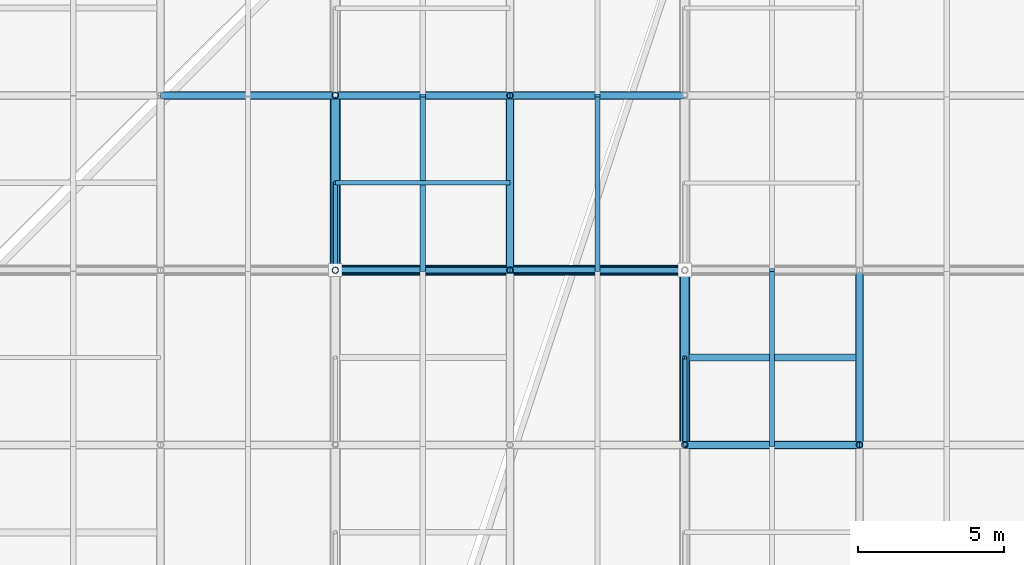
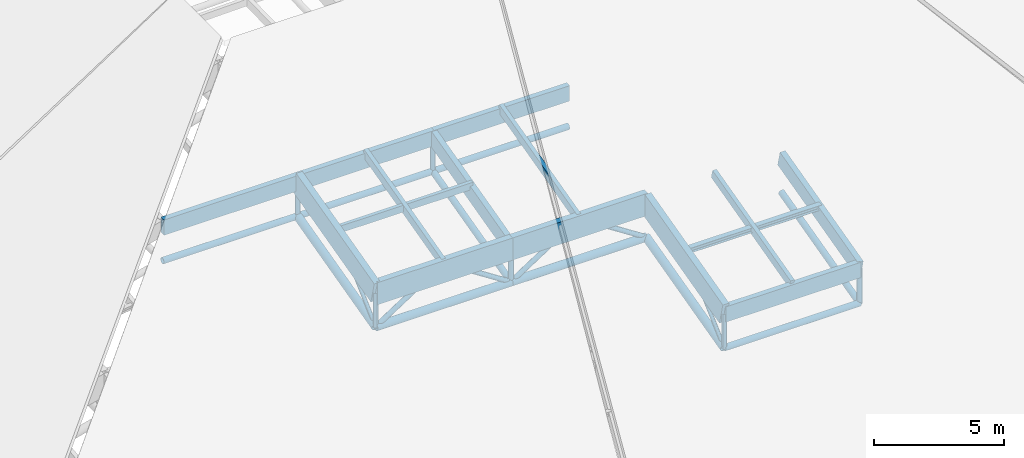
# One storey, part 12 of 80: 37 members.
"""IFC4 building model written with IfcOpenShell, lengths in metres."""

from ifc_helpers import new_model, si_unit, direction, frame, origin, origin_2d, place, context, subcontext, project, spatial, rectangle, hollow_circle, i_section, extrude, material, material_profile, profile_set, type_object, element, save


model = new_model("IFC4")

# Units and contexts
model_context = context("Model", 3, precision=1e-05, world=origin(), true_north=direction((0.0, 1.0)))
body_context = subcontext(model_context, "Body", "Model", "MODEL_VIEW")
ifc_project = project(units=[si_unit("LENGTHUNIT", "METRE"), si_unit("AREAUNIT", "SQUARE_METRE"), si_unit("VOLUMEUNIT", "CUBIC_METRE"), si_unit("PLANEANGLEUNIT", "RADIAN"), si_unit("MASSUNIT", "GRAM", prefix="KILO"), si_unit("THERMODYNAMICTEMPERATUREUNIT", "KELVIN"), si_unit("POWERUNIT", "WATT")], contexts=[model_context])

# Site, building, storey
site_placement = place(None, origin())
site = spatial("IfcSite", under=ifc_project, at=site_placement, CompositionType="ELEMENT")
building_placement = place(site_placement, origin())
building = spatial("IfcBuilding", under=site, at=building_placement, Name="Solmara Park Aquatics Centre", CompositionType="ELEMENT")
storey_placement = place(building_placement, frame((0.0, 0.0, 22.800048828125)))
storey = spatial("IfcBuildingStorey", under=building, at=storey_placement, Name="RF", CompositionType="ELEMENT", Elevation=22.800048828125)

# Members
ifc_material_1 = material(Name="Structural Steel S355", Category="steel")
ifc_material_profile_1 = material_profile(ifc_material_1, hollow_circle(Radius=0.084228515625, WallThickness=0.008056640625, at=origin_2d()), Name="CHS 168.3x8")
ifc_profile_set_1 = profile_set([ifc_material_profile_1], Name="Structural Steel S355")
member_type_1 = type_object("IfcMemberType", Name="STR-BRC-CHS168", PredefinedType="BRACE", material=ifc_profile_set_1)
for number, where, z_axis, x_axis, name in (
    (1, (48.60009765625, 18.60009765625, -9.58984375), (0.0, 0.736437262703, 0.67650584484), (-1.0, 0.0, 0.0), "Roof Truss Web Diagonal Y 1919"),
    (2, (36.60009765625, 24.60009765625, -8.0380859375), (0.0, 0.736437262703, 0.67650584484), (-1.0, 0.0, 0.0), "Roof Truss Web Diagonal Y 1942"),
):
    element("IfcMember", number, at=place(storey_placement, frame(where, z_axis=z_axis, x_axis=x_axis)), inside=storey, type_object=member_type_1, Name=name, PredefinedType="BRACE", context=body_context, shape_type="SweptSolid", body=[
        extrude(hollow_circle(Radius=0.084228515625, WallThickness=0.008056640625, at=origin_2d()), origin(), (0.0, 0.0, 1.0), 4.07373046875),
    ])
ifc_material_profile_2 = material_profile(ifc_material_1, hollow_circle(Radius=0.109619140625, WallThickness=0.010009765625, at=origin_2d()), Name="CHS 219.1x10")
ifc_profile_set_2 = profile_set([ifc_material_profile_2], Name="Structural Steel S355")
member_type_2 = type_object("IfcMemberType", Name="STR-BRC-CHS219", PredefinedType="BRACE", material=ifc_profile_set_2)
for number, where, z_axis, x_axis, name in (
    (3, (36.60009765625, 24.60009765625, -8.0380859375), (0.83972779743, 0.0, 0.543007574738), (0.0, 1.0, 0.0), "Roof Truss Web Diagonal X 1521"),
    (4, (42.60009765625, 24.60009765625, -8.0380859375), (-0.83972779743, 0.0, 0.543007574738), (0.0, -1.0, 0.0), "Roof Truss Web Diagonal X 1522"),
    (5, (42.60009765625, 24.60009765625, -8.0380859375), (0.83972779743, 0.0, 0.543007574738), (0.0, 1.0, 0.0), "Roof Truss Web Diagonal X 1551"),
    (6, (48.60009765625, 24.60009765625, -8.0380859375), (-0.83972779743, 0.0, 0.543007574738), (0.0, -1.0, 0.0), "Roof Truss Web Diagonal X 1552"),
):
    element("IfcMember", number, at=place(storey_placement, frame(where, z_axis=z_axis, x_axis=x_axis)), inside=storey, type_object=member_type_2, Name=name, PredefinedType="BRACE", context=body_context, shape_type="SweptSolid", body=[
        extrude(hollow_circle(Radius=0.109619140625, WallThickness=0.010009765625, at=origin_2d()), origin(), (0.0, 0.0, 1.0), 3.572509765625),
    ])
ifc_material_profile_3 = material_profile(ifc_material_1, hollow_circle(Radius=0.136474609375, WallThickness=0.012451171875, at=origin_2d()), Name="CHS 273x12.5")
ifc_profile_set_3 = profile_set([ifc_material_profile_3], Name="Structural Steel S355")
member_type_3 = type_object("IfcMemberType", Name="STR-CHD-CHS273", PredefinedType="CHORD", material=ifc_profile_set_3)
for number, where, z_axis, x_axis, name in (
    (7, (48.60009765625, 18.60009765625, -9.58984375), (1.0, 0.0, 0.0), (0.0, 1.0, 0.0), "Steel Roof Truss Bottom Chord X 0126"),
    (8, (30.60009765625, 30.60009765625, -6.486328125), (1.0, 0.0, 0.0), (0.0, 1.0, 0.0), "Steel Roof Truss Bottom Chord X 0192"),
    (9, (36.60009765625, 30.60009765625, -6.486328125), (1.0, 0.0, 0.0), (0.0, 1.0, 0.0), "Steel Roof Truss Bottom Chord X 0194"),
    (10, (42.60009765625, 30.60009765625, -6.486328125), (1.0, 0.0, 0.0), (0.0, 1.0, 0.0), "Steel Roof Truss Bottom Chord X 0196"),
):
    element("IfcMember", number, at=place(storey_placement, frame(where, z_axis=z_axis, x_axis=x_axis)), inside=storey, type_object=member_type_3, Name=name, PredefinedType="CHORD", context=body_context, shape_type="SweptSolid", body=[
        extrude(hollow_circle(Radius=0.136474609375, WallThickness=0.012451171875, at=origin_2d()), origin(), (0.0, 0.0, 1.0), 6.0),
    ])
for number, where, z_axis, x_axis, name in (
    (11, (42.60009765625, 24.60009765625, -8.0380859375), (0.0, 0.968145594442, 0.250387914969), (-1.0, 0.0, 0.0), "Steel Roof Truss Bottom Chord Y 0746"),
    (12, (54.60009765625, 18.60009765625, -9.58984375), (0.0, 0.968145594442, 0.250387914969), (-1.0, 0.0, 0.0), "Steel Roof Truss Bottom Chord Y 0800"),
):
    element("IfcMember", number, at=place(storey_placement, frame(where, z_axis=z_axis, x_axis=x_axis)), inside=storey, type_object=member_type_3, Name=name, PredefinedType="CHORD", context=body_context, shape_type="SweptSolid", body=[
        extrude(hollow_circle(Radius=0.136474609375, WallThickness=0.012451171875, at=origin_2d()), origin(), (0.0, 0.0, 1.0), 6.197509765625),
    ])
ifc_material_profile_4 = material_profile(ifc_material_1, hollow_circle(Radius=0.177734375, WallThickness=0.01611328125, at=origin_2d()), Name="CHS 355.6x16")
ifc_profile_set_4 = profile_set([ifc_material_profile_4], Name="Structural Steel S355")
member_type_4 = type_object("IfcMemberType", Name="STR-CHD-CHS355", PredefinedType="CHORD", material=ifc_profile_set_4)
for number, where, z_axis, x_axis, name in (
    (13, (36.60009765625, 24.60009765625, -8.0380859375), (1.0, 0.0, 0.0), (0.0, 1.0, 0.0), "Steel Roof Truss Bottom Chord X 0158"),
    (14, (42.60009765625, 24.60009765625, -8.0380859375), (1.0, 0.0, 0.0), (0.0, 1.0, 0.0), "Steel Roof Truss Bottom Chord X 0160"),
):
    element("IfcMember", number, at=place(storey_placement, frame(where, z_axis=z_axis, x_axis=x_axis)), inside=storey, type_object=member_type_4, Name=name, PredefinedType="CHORD", context=body_context, shape_type="SweptSolid", body=[
        extrude(hollow_circle(Radius=0.177734375, WallThickness=0.01611328125, at=origin_2d()), origin(), (0.0, 0.0, 1.0), 6.0),
    ])
for number, where, z_axis, x_axis, name in (
    (15, (36.60009765625, 24.60009765625, -8.0380859375), (0.0, 0.968145594442, 0.250387914969), (-1.0, 0.0, 0.0), "Steel Roof Truss Bottom Chord Y 0718"),
    (16, (48.60009765625, 18.60009765625, -9.58984375), (0.0, 0.968145594442, 0.250387914969), (-1.0, 0.0, 0.0), "Steel Roof Truss Bottom Chord Y 0772"),
):
    element("IfcMember", number, at=place(storey_placement, frame(where, z_axis=z_axis, x_axis=x_axis)), inside=storey, type_object=member_type_4, Name=name, PredefinedType="CHORD", context=body_context, shape_type="SweptSolid", body=[
        extrude(hollow_circle(Radius=0.177734375, WallThickness=0.01611328125, at=origin_2d()), origin(), (0.0, 0.0, 1.0), 6.197509765625),
    ])
ifc_material_2 = material(Name="Glulam Timber GL28h", Category="wood")
ifc_material_profile_5 = material_profile(ifc_material_2, rectangle(XDim=0.239990234375, YDim=0.719970703125, at=origin_2d()), Name="GL28h 240x720")
ifc_profile_set_5 = profile_set([ifc_material_profile_5], Name="Glulam Timber GL28h")
member_type_5 = type_object("IfcMemberType", Name="STR-CHD-GL240x720", PredefinedType="CHORD", material=ifc_profile_set_5)
for number, where, z_axis, x_axis, name in (
    (17, (48.60009765625, 18.60009765625, -7.9697265625), (1.0, 0.0, 0.0), (0.0, 1.0, 0.0), "Glulam Roof Truss Top Chord X 0125"),
    (18, (30.60009765625, 30.60009765625, -4.866455078125), (1.0, 0.0, 0.0), (0.0, 1.0, 0.0), "Glulam Roof Truss Top Chord X 0191"),
    (19, (36.60009765625, 30.60009765625, -4.866455078125), (1.0, 0.0, 0.0), (0.0, 1.0, 0.0), "Glulam Roof Truss Top Chord X 0193"),
    (20, (42.60009765625, 30.60009765625, -4.866455078125), (1.0, 0.0, 0.0), (0.0, 1.0, 0.0), "Glulam Roof Truss Top Chord X 0195"),
):
    element("IfcMember", number, at=place(storey_placement, frame(where, z_axis=z_axis, x_axis=x_axis)), inside=storey, type_object=member_type_5, Name=name, PredefinedType="CHORD", context=body_context, shape_type="SweptSolid", body=[
        extrude(rectangle(XDim=0.239990234375, YDim=0.719970703125, at=origin_2d()), origin(), (0.0, 0.0, 1.0), 6.0),
    ])
member_1_placement = place(storey_placement, frame((42.60009765625, 24.60009765625, -6.41796875), z_axis=(0.0, 0.968155143395, 0.250350990246), x_axis=(-1.0, 0.0, 0.0)))
element("IfcMember", 21, at=member_1_placement, inside=storey, type_object=member_type_5, Name="Glulam Roof Truss Top Chord Y 0745", PredefinedType="CHORD", context=body_context, shape_type="SweptSolid", body=[
    extrude(rectangle(XDim=0.239990234375, YDim=0.719970703125, at=origin_2d()), origin(), (0.0, 0.0, 1.0), 6.197265625),
])
member_2_placement = place(storey_placement, frame((54.60009765625, 18.60009765625, -7.9697265625), z_axis=(0.0, 0.968145594442, 0.250387914969), x_axis=(-1.0, 0.0, 0.0)))
element("IfcMember", 22, at=member_2_placement, inside=storey, type_object=member_type_5, Name="Glulam Roof Truss Top Chord Y 0799", PredefinedType="CHORD", context=body_context, shape_type="SweptSolid", body=[
    extrude(rectangle(XDim=0.239990234375, YDim=0.719970703125, at=origin_2d()), origin(), (0.0, 0.0, 1.0), 6.197509765625),
])
ifc_material_profile_6 = material_profile(ifc_material_2, rectangle(XDim=0.280029296875, YDim=1.0400390625, at=origin_2d()), Name="GL28h 280x1040")
ifc_profile_set_6 = profile_set([ifc_material_profile_6], Name="Glulam Timber GL28h")
member_type_6 = type_object("IfcMemberType", Name="STR-CHD-GL280x1040", PredefinedType="CHORD", material=ifc_profile_set_6)
for number, where, z_axis, x_axis, name in (
    (23, (36.60009765625, 24.60009765625, -6.41796875), (1.0, 0.0, 0.0), (0.0, 1.0, 0.0), "Glulam Roof Truss Top Chord X 0157"),
    (24, (42.60009765625, 24.60009765625, -6.41796875), (1.0, 0.0, 0.0), (0.0, 1.0, 0.0), "Glulam Roof Truss Top Chord X 0159"),
):
    element("IfcMember", number, at=place(storey_placement, frame(where, z_axis=z_axis, x_axis=x_axis)), inside=storey, type_object=member_type_6, Name=name, PredefinedType="CHORD", context=body_context, shape_type="SweptSolid", body=[
        extrude(rectangle(XDim=0.280029296875, YDim=1.0400390625, at=origin_2d()), origin(), (0.0, 0.0, 1.0), 6.0),
    ])
member_3_placement = place(storey_placement, frame((36.60009765625, 24.60009765625, -6.41796875), z_axis=(0.0, 0.968155143395, 0.250350990246), x_axis=(-1.0, 0.0, 0.0)))
element("IfcMember", 25, at=member_3_placement, inside=storey, type_object=member_type_6, Name="Glulam Roof Truss Top Chord Y 0717", PredefinedType="CHORD", context=body_context, shape_type="SweptSolid", body=[
    extrude(rectangle(XDim=0.280029296875, YDim=1.0400390625, at=origin_2d()), origin(), (0.0, 0.0, 1.0), 6.197265625),
])
member_4_placement = place(storey_placement, frame((48.60009765625, 18.60009765625, -7.9697265625), z_axis=(0.0, 0.968145594442, 0.250387914969), x_axis=(-1.0, 0.0, 0.0)))
element("IfcMember", 26, at=member_4_placement, inside=storey, type_object=member_type_6, Name="Glulam Roof Truss Top Chord Y 0771", PredefinedType="CHORD", context=body_context, shape_type="SweptSolid", body=[
    extrude(rectangle(XDim=0.280029296875, YDim=1.0400390625, at=origin_2d()), origin(), (0.0, 0.0, 1.0), 6.197509765625),
])
ifc_material_profile_7 = material_profile(ifc_material_2, rectangle(XDim=0.159912109375, YDim=0.320068359375, at=origin_2d()), Name="GL28h 160x320")
ifc_profile_set_7 = profile_set([ifc_material_profile_7], Name="Glulam Timber GL28h")
member_type_7 = type_object("IfcMemberType", Name="STR-PRL-GL160x320", PredefinedType="PURLIN", material=ifc_profile_set_7)
member_5_placement = place(storey_placement, frame((36.60009765625, 27.60009765625, -5.30224609375), z_axis=(1.0, 0.0, 0.0), x_axis=(0.0, 1.0, 0.0)))
element("IfcMember", 27, at=member_5_placement, inside=storey, type_object=member_type_7, Name="Glulam Secondary Roof Purlin 1930", PredefinedType="PURLIN", context=body_context, shape_type="SweptSolid", body=[
    extrude(rectangle(XDim=0.159912109375, YDim=0.320068359375, at=origin_2d()), origin(), (0.0, 0.0, 1.0), 6.0),
])
ifc_material_profile_8 = material_profile(ifc_material_2, rectangle(XDim=0.179931640625, YDim=0.39990234375, at=origin_2d()), Name="GL28h 180x400")
ifc_profile_set_8 = profile_set([ifc_material_profile_8], Name="Glulam Timber GL28h")
member_type_8 = type_object("IfcMemberType", Name="STR-PRL-GL180x400", PredefinedType="PURLIN", material=ifc_profile_set_8)
for number, where, z_axis, x_axis, name in (
    (28, (39.60009765625, 24.60009765625, -6.09814453125), (0.0, 0.968145594442, 0.250387914969), (-1.0, 0.0, 0.0), "Glulam Roof Purlin 1507"),
    (29, (45.60009765625, 24.60009765625, -6.09814453125), (0.0, 0.968145594442, 0.250387914969), (-1.0, 0.0, 0.0), "Glulam Roof Purlin 1537"),
):
    element("IfcMember", number, at=place(storey_placement, frame(where, z_axis=z_axis, x_axis=x_axis)), inside=storey, type_object=member_type_8, Name=name, PredefinedType="PURLIN", context=body_context, shape_type="SweptSolid", body=[
        extrude(rectangle(XDim=0.179931640625, YDim=0.39990234375, at=origin_2d()), origin(), (0.0, 0.0, 1.0), 6.197509765625),
    ])
member_6_placement = place(storey_placement, frame((51.60009765625, 18.60009765625, -7.649658203125), z_axis=(0.0, 0.968155143395, 0.250350990246), x_axis=(-1.0, 0.0, 0.0)))
element("IfcMember", 30, at=member_6_placement, inside=storey, type_object=member_type_8, Name="Glulam Roof Purlin 1566", PredefinedType="PURLIN", context=body_context, shape_type="SweptSolid", body=[
    extrude(rectangle(XDim=0.179931640625, YDim=0.39990234375, at=origin_2d()), origin(), (0.0, 0.0, 1.0), 6.197265625),
])
ifc_material_profile_9 = material_profile(ifc_material_1, i_section(OverallWidth=0.239990234375, OverallDepth=0.22998046875, WebThickness=0.007568359375, FlangeThickness=0.011962890625, FilletRadius=0.02099609375, at=origin_2d()), Name="HEA 240")
ifc_profile_set_9 = profile_set([ifc_material_profile_9], Name="Structural Steel S355")
member_type_9 = type_object("IfcMemberType", Name="STR-PRL-HEA240", PredefinedType="PURLIN", material=ifc_profile_set_9)
member_7_placement = place(storey_placement, frame((48.60009765625, 21.60009765625, -6.85400390625), z_axis=(1.0, 0.0, 0.0), x_axis=(0.0, 1.0, 0.0)))
element("IfcMember", 31, at=member_7_placement, inside=storey, type_object=member_type_9, Name="Glulam Secondary Roof Purlin 1908", PredefinedType="PURLIN", context=body_context, shape_type="SweptSolid", body=[
    extrude(i_section(OverallWidth=0.239990234375, OverallDepth=0.22998046875, WebThickness=0.007568359375, FlangeThickness=0.011962890625, FilletRadius=0.02099609375, at=origin_2d()), origin(), (0.0, 0.0, 1.0), 6.0),
])
ifc_material_profile_10 = material_profile(ifc_material_1, hollow_circle(Radius=0.109619140625, WallThickness=0.010009765625, at=origin_2d()), Name="CHS 219.1x10")
ifc_profile_set_10 = profile_set([ifc_material_profile_10], Name="Structural Steel S355")
member_type_10 = type_object("IfcMemberType", Name="STR-PST-CHS219", PredefinedType="POST", material=ifc_profile_set_10)
member_8_placement = place(storey_placement, frame((36.60009765625, 24.60009765625, -8.0380859375), z_axis=(0.0, 0.0, 1.0), x_axis=(1.0, 0.0, 0.0)))
element("IfcMember", 32, at=member_8_placement, inside=storey, type_object=member_type_10, Name="Roof Truss Web Post 1160", PredefinedType="POST", context=body_context, shape_type="SweptSolid", body=[
    extrude(hollow_circle(Radius=0.109619140625, WallThickness=0.010009765625, at=origin_2d()), origin(), (0.0, 0.0, 1.0), 1.6201171875),
])
member_9_placement = place(storey_placement, frame((36.60009765625, 30.60009765625, -6.486328125), z_axis=(0.0, 0.0, 1.0), x_axis=(1.0, 0.0, 0.0)))
element("IfcMember", 33, at=member_9_placement, inside=storey, type_object=member_type_10, Name="Roof Truss Web Post 1161", PredefinedType="POST", context=body_context, shape_type="SweptSolid", body=[
    extrude(hollow_circle(Radius=0.109619140625, WallThickness=0.010009765625, at=origin_2d()), origin(), (0.0, 0.0, 1.0), 1.619873046875),
])
member_10_placement = place(storey_placement, frame((42.60009765625, 24.60009765625, -8.0380859375), z_axis=(0.0, 0.0, 1.0), x_axis=(1.0, 0.0, 0.0)))
element("IfcMember", 34, at=member_10_placement, inside=storey, type_object=member_type_10, Name="Roof Truss Web Post 1175", PredefinedType="POST", context=body_context, shape_type="SweptSolid", body=[
    extrude(hollow_circle(Radius=0.109619140625, WallThickness=0.010009765625, at=origin_2d()), origin(), (0.0, 0.0, 1.0), 1.6201171875),
])
member_11_placement = place(storey_placement, frame((42.60009765625, 30.60009765625, -6.486328125), z_axis=(0.0, 0.0, 1.0), x_axis=(1.0, 0.0, 0.0)))
element("IfcMember", 35, at=member_11_placement, inside=storey, type_object=member_type_10, Name="Roof Truss Web Post 1176", PredefinedType="POST", context=body_context, shape_type="SweptSolid", body=[
    extrude(hollow_circle(Radius=0.109619140625, WallThickness=0.010009765625, at=origin_2d()), origin(), (0.0, 0.0, 1.0), 1.619873046875),
])
for number, where, z_axis, x_axis, name in (
    (36, (48.60009765625, 18.60009765625, -9.58984375), (0.0, 0.0, 1.0), (1.0, 0.0, 0.0), "Roof Truss Web Post 1189"),
    (37, (54.60009765625, 18.60009765625, -9.58984375), (0.0, 0.0, 1.0), (1.0, 0.0, 0.0), "Roof Truss Web Post 1204"),
):
    element("IfcMember", number, at=place(storey_placement, frame(where, z_axis=z_axis, x_axis=x_axis)), inside=storey, type_object=member_type_10, Name=name, PredefinedType="POST", context=body_context, shape_type="SweptSolid", body=[
        extrude(hollow_circle(Radius=0.109619140625, WallThickness=0.010009765625, at=origin_2d()), origin(), (0.0, 0.0, 1.0), 1.6201171875),
    ])

save(model, "model.ifc")
